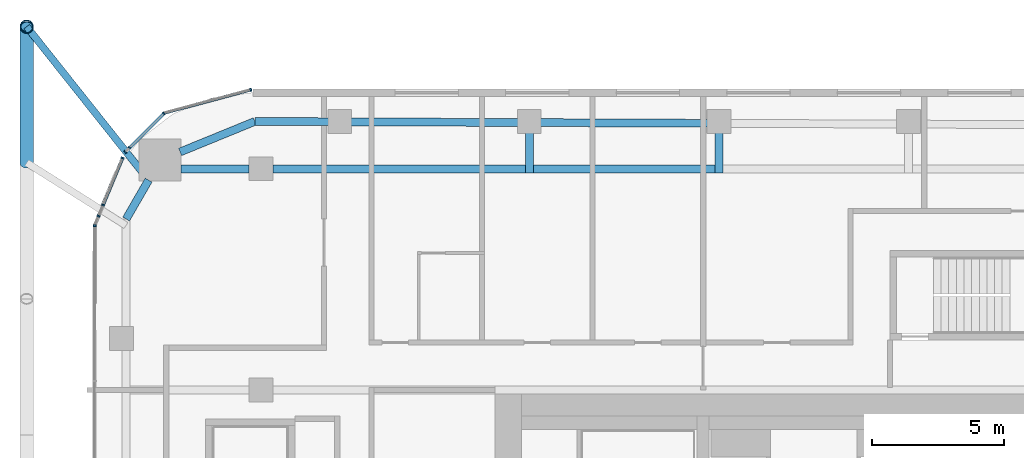
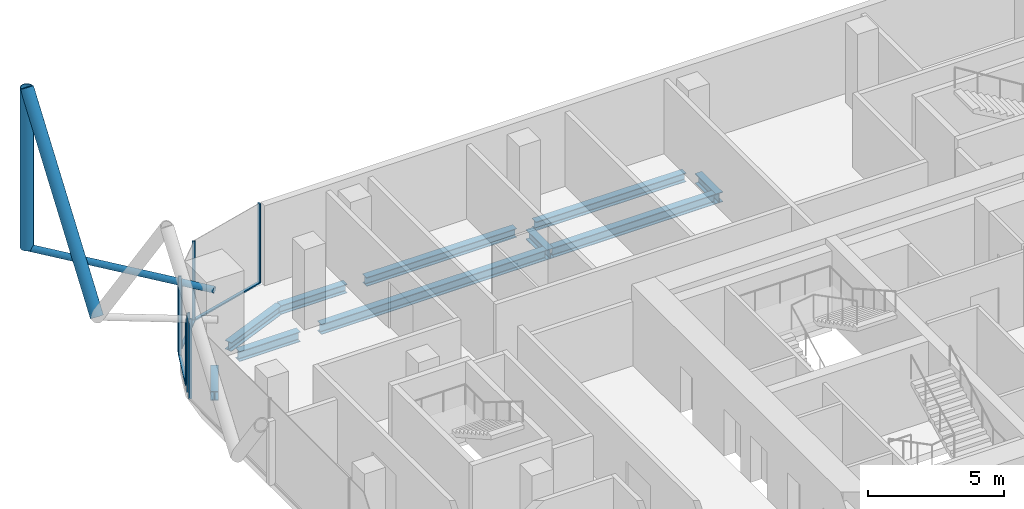
# One storey, part 11 of 36: 14 members, 10 beams, 7 elements without a shape of their own.
"""IFC4 building model written with IfcOpenShell, lengths in metres."""

from ifc_helpers import new_model, si_unit, direction, frame, origin, origin_2d, place, context, subcontext, project, spatial, rectangle, hollow_circle, i_section, extrude, material, layer, layer_set, material_profile, profile_set, type_object, element, aggregate, save


model = new_model("IFC4")

# Units and contexts
model_context = context("Model", 3, precision=1e-05, world=origin(), true_north=direction((0.0, 1.0)))
body_context = subcontext(model_context, "Body", "Model", "MODEL_VIEW")
ifc_project = project(units=[si_unit("LENGTHUNIT", "METRE"), si_unit("AREAUNIT", "SQUARE_METRE"), si_unit("VOLUMEUNIT", "CUBIC_METRE"), si_unit("PLANEANGLEUNIT", "RADIAN"), si_unit("MASSUNIT", "GRAM", prefix="KILO")], contexts=[model_context])

# Site, building, storey
site_placement = place(None, origin())
site = spatial("IfcSite", under=ifc_project, at=site_placement, CompositionType="ELEMENT")
building_placement = place(site_placement, origin())
building = spatial("IfcBuilding", under=site, at=building_placement, Name="Marenta Gate Hotel Tower", CompositionType="ELEMENT")
storey_placement = place(building_placement, frame((0.0, 0.0, 158.89990234375)))
storey = spatial("IfcBuildingStorey", under=building, at=storey_placement, Name="L37", CompositionType="ELEMENT", Elevation=158.89990234375)

# Members
ifc_material_1 = material(Name="Steel S355J2W", Category="steel")
ifc_material_profile_1 = material_profile(ifc_material_1, hollow_circle(Radius=0.25390625, WallThickness=0.02490234375, at=origin_2d()), Name="CHS 508x25")
ifc_profile_set_1 = profile_set([ifc_material_profile_1], Name="Steel S355J2W")
member_type_1 = type_object("IfcMemberType", Name="Diagrid corner post Z2 CHS 508x25", PredefinedType="POST", material=ifc_profile_set_1)
member_1_placement = place(storey_placement, frame((-29.89990234375, 30.60009765625, 3.14013671875), z_axis=(0.0, 0.0, 1.0), x_axis=(1.0, 0.0, 0.0)))
element("IfcMember", 1, at=member_1_placement, inside=storey, type_object=member_type_1, Name="L37-DR-6", PredefinedType="POST", context=body_context, shape_type="SweptSolid", body=[
    extrude(hollow_circle(Radius=0.25390625, WallThickness=0.02490234375, at=origin_2d()), origin(), (0.0, 0.0, 1.0), 7.199951171875),
])
ifc_material_2 = material(Name="Steel S355J2W", Category="steel")
ifc_material_profile_2 = material_profile(ifc_material_2, hollow_circle(Radius=0.25390625, WallThickness=0.0400390625, at=origin_2d()), Name="CHS 508x40")
ifc_profile_set_2 = profile_set([ifc_material_profile_2], Name="Steel S355J2W")
member_type_2 = type_object("IfcMemberType", Name="Diagrid diagonal Z2 CHS 508x40", PredefinedType="BRACE", material=ifc_profile_set_2)
member_2_placement = place(storey_placement, frame((-29.89990234375, 25.429931640625, 3.14013671875), z_axis=(0.0, 0.583279014058, 0.812271870595), x_axis=(-1.0, 0.0, 0.0)))
element("IfcMember", 2, at=member_2_placement, inside=storey, type_object=member_type_2, Name="L37-DG-34", PredefinedType="BRACE", context=body_context, shape_type="SweptSolid", body=[
    extrude(hollow_circle(Radius=0.25390625, WallThickness=0.0400390625, at=origin_2d()), origin(), (0.0, 0.0, 1.0), 8.864013671875),
])

# Beams
ifc_material_3 = material(Name="Steel S355", Category="steel")
ifc_material_profile_3 = material_profile(ifc_material_3, i_section(OverallWidth=0.300048828125, OverallDepth=0.39990234375, WebThickness=0.013427734375, FlangeThickness=0.02392578125, FilletRadius=0.027099609375, at=origin_2d()), Name="HEB 400")
ifc_profile_set_3 = profile_set([ifc_material_profile_3], Name="Steel S355")
beam_type_1 = type_object("IfcBeamType", Name="Edge beam HEB 400", PredefinedType="SPANDREL", material=ifc_profile_set_3)
beam_1_placement = place(storey_placement, frame((-26.121337890625, 23.291748046875, -0.4599609375), z_axis=(0.500015459501, 0.866016478054, 0.0), x_axis=(-0.866016478054, 0.500015459501, 0.0)))
element("IfcBeam", 3, at=beam_1_placement, inside=storey, type_object=beam_type_1, Name="L37-EB-11", PredefinedType="SPANDREL", context=body_context, shape_type="SweptSolid", body=[
    extrude(i_section(OverallWidth=0.300048828125, OverallDepth=0.39990234375, WebThickness=0.013427734375, FlangeThickness=0.02392578125, FilletRadius=0.027099609375, at=origin_2d()), origin(), (0.0, 0.0, 1.0), 1.70703125),
])
beam_2_placement = place(storey_placement, frame((-24.072509765625, 25.839111328125, -0.4599609375), z_axis=(0.925565978946, 0.378586342356, 0.0), x_axis=(-0.378586342356, 0.925565978946, 0.0)))
element("IfcBeam", 4, at=beam_2_placement, inside=storey, type_object=beam_type_1, Name="L37-EB-12", PredefinedType="SPANDREL", context=body_context, shape_type="SweptSolid", body=[
    extrude(i_section(OverallWidth=0.300048828125, OverallDepth=0.39990234375, WebThickness=0.013427734375, FlangeThickness=0.02392578125, FilletRadius=0.027099609375, at=origin_2d()), origin(), (0.0, 0.0, 1.0), 3.06640625),
])
beam_3_placement = place(storey_placement, frame((-21.234375, 27.0, -0.4599609375), z_axis=(0.999991706293, -0.004072756516, 0.0), x_axis=(0.004072756516, 0.999991706293, 0.0)))
element("IfcBeam", 5, at=beam_3_placement, inside=storey, type_object=beam_type_1, Name="L37-EB-13", PredefinedType="SPANDREL", context=body_context, shape_type="SweptSolid", body=[
    extrude(i_section(OverallWidth=0.300048828125, OverallDepth=0.39990234375, WebThickness=0.013427734375, FlangeThickness=0.02392578125, FilletRadius=0.027099609375, at=origin_2d()), origin(), (0.0, 0.0, 1.0), 2.8173828125),
])
beam_4_placement = place(storey_placement, frame((-17.596923828125, 26.985107421875, -0.4599609375), z_axis=(0.999991780748, -0.00405443424, 0.0), x_axis=(0.00405443424, 0.999991780748, 0.0)))
element("IfcBeam", 6, at=beam_4_placement, inside=storey, type_object=beam_type_1, Name="L37-EB-14", PredefinedType="SPANDREL", context=body_context, shape_type="SweptSolid", body=[
    extrude(i_section(OverallWidth=0.300048828125, OverallDepth=0.39990234375, WebThickness=0.013427734375, FlangeThickness=0.02392578125, FilletRadius=0.027099609375, at=origin_2d()), origin(), (0.0, 0.0, 1.0), 6.3828125),
])
beam_5_placement = place(storey_placement, frame((-10.39404296875, 26.955810546875, -0.4599609375), z_axis=(0.999991624297, -0.004092839529, 0.0), x_axis=(0.004092839529, 0.999991624297, 0.0)))
element("IfcBeam", 7, at=beam_5_placement, inside=storey, type_object=beam_type_1, Name="L37-EB-15", PredefinedType="SPANDREL", context=body_context, shape_type="SweptSolid", body=[
    extrude(i_section(OverallWidth=0.300048828125, OverallDepth=0.39990234375, WebThickness=0.013427734375, FlangeThickness=0.02392578125, FilletRadius=0.027099609375, at=origin_2d()), origin(), (0.0, 0.0, 1.0), 6.382568359375),
])

# Member
ifc_material_4 = material(Name="Steel S355J2W", Category="steel")
ifc_material_profile_4 = material_profile(ifc_material_4, hollow_circle(Radius=0.136474609375, WallThickness=0.012451171875, at=origin_2d()), Name="CHS 273x12.5")
ifc_profile_set_4 = profile_set([ifc_material_profile_4], Name="Steel S355J2W")
member_type_3 = type_object("IfcMemberType", Name="Floor tie CHS 273x12.5", PredefinedType="STRUT", material=ifc_profile_set_4)
member_3_placement = place(storey_placement, frame((-29.89990234375, 30.60009765625, 3.14013671875), z_axis=(0.622094046149, -0.782942525187, 0.0), x_axis=(0.782942525187, 0.622094046149, 0.0)))
element("IfcMember", 8, at=member_3_placement, inside=storey, type_object=member_type_3, Name="L37-DR-22", PredefinedType="STRUT", context=body_context, shape_type="SweptSolid", body=[
    extrude(hollow_circle(Radius=0.136474609375, WallThickness=0.012451171875, at=origin_2d()), origin(), (0.0, 0.0, 1.0), 7.43896484375),
])

# Beams
ifc_material_5 = material(Name="Steel S355", Category="steel")
ifc_material_profile_5 = material_profile(ifc_material_5, i_section(OverallWidth=0.300048828125, OverallDepth=0.449951171875, WebThickness=0.013916015625, FlangeThickness=0.02587890625, FilletRadius=0.027099609375, at=origin_2d()), Name="HEB 450")
ifc_profile_set_5 = profile_set([ifc_material_profile_5], Name="Steel S355")
beam_type_2 = type_object("IfcBeamType", Name="Girder HEB 450", PredefinedType="BEAM", material=ifc_profile_set_5)
beam_6_placement = place(storey_placement, frame((-24.035400390625, 25.199951171875, -0.48486328125), z_axis=(1.0, 0.0, 0.0), x_axis=(0.0, 1.0, 0.0)))
element("IfcBeam", 9, at=beam_6_placement, inside=storey, type_object=beam_type_2, Name="L37-GD-29", PredefinedType="BEAM", context=body_context, shape_type="SweptSolid", body=[
    extrude(i_section(OverallWidth=0.300048828125, OverallDepth=0.449951171875, WebThickness=0.013916015625, FlangeThickness=0.02587890625, FilletRadius=0.027099609375, at=origin_2d()), origin(), (0.0, 0.0, 1.0), 2.58544921875),
])
beam_7_placement = place(storey_placement, frame((-20.550048828125, 25.199951171875, -0.48486328125), z_axis=(1.0, 0.0, 0.0), x_axis=(0.0, 1.0, 0.0)))
element("IfcBeam", 10, at=beam_7_placement, inside=storey, type_object=beam_type_2, Name="L37-GD-30", PredefinedType="BEAM", context=body_context, shape_type="SweptSolid", body=[
    extrude(i_section(OverallWidth=0.300048828125, OverallDepth=0.449951171875, WebThickness=0.013916015625, FlangeThickness=0.02587890625, FilletRadius=0.027099609375, at=origin_2d()), origin(), (0.0, 0.0, 1.0), 9.595947265625),
])
beam_8_placement = place(storey_placement, frame((-10.654052734375, 25.199951171875, -0.48486328125), z_axis=(1.0, 0.0, 0.0), x_axis=(0.0, 1.0, 0.0)))
element("IfcBeam", 11, at=beam_8_placement, inside=storey, type_object=beam_type_2, Name="L37-GD-31", PredefinedType="BEAM", context=body_context, shape_type="SweptSolid", body=[
    extrude(i_section(OverallWidth=0.300048828125, OverallDepth=0.449951171875, WebThickness=0.013916015625, FlangeThickness=0.02587890625, FilletRadius=0.027099609375, at=origin_2d()), origin(), (0.0, 0.0, 1.0), 6.902587890625),
])
ifc_material_6 = material(Name="Steel S355", Category="steel")
ifc_material_profile_6 = material_profile(ifc_material_6, i_section(OverallWidth=0.300048828125, OverallDepth=0.449951171875, WebThickness=0.013916015625, FlangeThickness=0.02587890625, FilletRadius=0.027099609375, at=origin_2d()), Name="HEB 450")
ifc_profile_set_6 = profile_set([ifc_material_profile_6], Name="Steel S355")
beam_type_3 = type_object("IfcBeamType", Name="Girder bracket HEB 450", PredefinedType="BEAM", material=ifc_profile_set_6)
for number, where, z_axis, x_axis, name in (
    (12, (-10.80419921875, 25.050048828125, -0.48486328125), (0.0, 1.0, 0.0), (-1.0, 0.0, 0.0), "L37-GS-1"),
    (13, (-3.601318359375, 25.050048828125, -0.48486328125), (0.0, 1.0, 0.0), (-1.0, 0.0, 0.0), "L37-GS-2"),
):
    element("IfcBeam", number, at=place(storey_placement, frame(where, z_axis=z_axis, x_axis=x_axis)), inside=storey, type_object=beam_type_3, Name=name, PredefinedType="BEAM", context=body_context, shape_type="SweptSolid", body=[
        extrude(i_section(OverallWidth=0.300048828125, OverallDepth=0.449951171875, WebThickness=0.013916015625, FlangeThickness=0.02587890625, FilletRadius=0.027099609375, at=origin_2d()), origin(), (0.0, 0.0, 1.0), 1.5400390625),
    ])

# Curtain wall, member
ifc_material_7 = material(Name="Tinted insulated glass in bronze anodised frame", Category="glass")
ifc_layer = layer(ifc_material_7, 0.1201171875)
ifc_layer_set = layer_set([ifc_layer], Name="Tinted insulated glass in bronze anodised frame")
curtain_wall_type = type_object("IfcCurtainWallType", Name="Tower unitised curtain wall CW1", PredefinedType="NOTDEFINED", material=ifc_layer_set)
curtain_wall_1_placement = place(storey_placement, origin())
curtain_wall_1 = element("IfcCurtainWall", 14, at=curtain_wall_1_placement, inside=storey, type_object=curtain_wall_type, Name="CW1 run G00", PredefinedType="NOTDEFINED")
ifc_material_8 = material(Name="Bronze anodised aluminium", Category="aluminium")
ifc_material_profile_7 = material_profile(ifc_material_8, rectangle(XDim=0.1201171875, YDim=0.06005859375, at=origin_2d()), Name="Mullion CW1 60x120 bronze anodised aluminium")
ifc_profile_set_7 = profile_set([ifc_material_profile_7], Name="Bronze anodised aluminium")
member_type_4 = type_object("IfcMemberType", Name="Mullion CW1 60x120 bronze anodised aluminium", PredefinedType="MULLION", material=ifc_profile_set_7)
member_4_placement = place(storey_placement, frame((-21.385498046875, 28.203125, 0.0), z_axis=(0.0, 0.0, 1.0), x_axis=(0.258801234873, -0.96593059835, 0.0)))
member_4 = element("IfcMember", 15, at=member_4_placement, type_object=member_type_4, Name="CW1 mullion 1", PredefinedType="MULLION", context=body_context, shape_type="SweptSolid", body=[
    extrude(rectangle(XDim=0.1201171875, YDim=0.06005859375, at=origin_2d()), origin(), (0.0, 0.0, 1.0), 3.60009765625),
])

curtain_wall_2_placement = place(storey_placement, origin())
curtain_wall_2 = element("IfcCurtainWall", 16, at=curtain_wall_2_placement, inside=storey, type_object=curtain_wall_type, Name="CW1 run G01", PredefinedType="NOTDEFINED")
member_5_placement = place(storey_placement, frame((-24.68798828125, 27.302978515625, 0.0), z_axis=(0.0, 0.0, 1.0), x_axis=(0.707106781187, -0.707106781187, 0.0)))
member_5 = element("IfcMember", 17, at=member_5_placement, type_object=member_type_4, Name="CW1 mullion 1", PredefinedType="MULLION", context=body_context, shape_type="SweptSolid", body=[
    extrude(rectangle(XDim=0.1201171875, YDim=0.06005859375, at=origin_2d()), origin(), (0.0, 0.0, 1.0), 3.60009765625),
])

# Curtain wall, members
curtain_wall_3_placement = place(storey_placement, origin())
curtain_wall_3 = element("IfcCurtainWall", 18, at=curtain_wall_3_placement, inside=storey, type_object=curtain_wall_type, Name="CW1 run G02", PredefinedType="NOTDEFINED")
member_6_placement = place(storey_placement, frame((-25.992431640625, 25.998291015625, 0.0), z_axis=(0.0, 0.0, 1.0), x_axis=(0.707106781187, -0.707106781187, 0.0)))
member_6 = element("IfcMember", 19, at=member_6_placement, type_object=member_type_4, Name="CW1 mullion 1", PredefinedType="MULLION", context=body_context, shape_type="SweptSolid", body=[
    extrude(rectangle(XDim=0.1201171875, YDim=0.06005859375, at=origin_2d()), origin(), (0.0, 0.0, 1.0), 3.00048828125),
])
member_7_placement = place(storey_placement, frame((-26.151123046875, 25.839599609375, 0.0), z_axis=(0.0, 0.0, 1.0), x_axis=(0.707106781187, -0.707106781187, 0.0)))
member_7 = element("IfcMember", 20, at=member_7_placement, type_object=member_type_4, Name="CW1 mullion 2", PredefinedType="MULLION", context=body_context, shape_type="SweptSolid", body=[
    extrude(rectangle(XDim=0.1201171875, YDim=0.06005859375, at=origin_2d()), origin(), (0.0, 0.0, 1.0), 3.00048828125),
])
aggregate(curtain_wall_3, [member_6, member_7])

# Curtain wall, member
curtain_wall_4_placement = place(storey_placement, origin())
curtain_wall_4 = element("IfcCurtainWall", 21, at=curtain_wall_4_placement, inside=storey, type_object=curtain_wall_type, Name="CW1 run G03", PredefinedType="NOTDEFINED")
member_8_placement = place(storey_placement, frame((-26.25830078125, 25.610595703125, 0.0), z_axis=(0.0, 0.0, 1.0), x_axis=(0.923875335632, -0.382693564371, 0.0)))
member_8 = element("IfcMember", 22, at=member_8_placement, type_object=member_type_4, Name="CW1 mullion 1", PredefinedType="MULLION", context=body_context, shape_type="SweptSolid", body=[
    extrude(rectangle(XDim=0.1201171875, YDim=0.06005859375, at=origin_2d()), origin(), (0.0, 0.0, 1.0), 3.60009765625),
])

curtain_wall_5_placement = place(storey_placement, origin())
curtain_wall_5 = element("IfcCurtainWall", 23, at=curtain_wall_5_placement, inside=storey, type_object=curtain_wall_type, Name="CW1 run G04", PredefinedType="NOTDEFINED")
member_9_placement = place(storey_placement, frame((-26.996826171875, 23.827880859375, 0.0), z_axis=(0.0, 0.0, 1.0), x_axis=(0.923815303293, -0.382838458625, 0.0)))
member_9 = element("IfcMember", 24, at=member_9_placement, type_object=member_type_4, Name="CW1 mullion 1", PredefinedType="MULLION", context=body_context, shape_type="SweptSolid", body=[
    extrude(rectangle(XDim=0.1201171875, YDim=0.06005859375, at=origin_2d()), origin(), (0.0, 0.0, 1.0), 3.00048828125),
])
aggregate(curtain_wall_5, [member_9])

curtain_wall_6_placement = place(storey_placement, origin())
curtain_wall_6 = element("IfcCurtainWall", 25, at=curtain_wall_6_placement, inside=storey, type_object=curtain_wall_type, Name="CW1 run G05", PredefinedType="NOTDEFINED")
member_10_placement = place(storey_placement, frame((-27.1728515625, 23.4033203125, 0.0), z_axis=(0.0, 0.0, 1.0), x_axis=(0.923973627119, -0.382456188848, 0.0)))
member_10 = element("IfcMember", 26, at=member_10_placement, type_object=member_type_4, Name="CW1 mullion 1", PredefinedType="MULLION", context=body_context, shape_type="SweptSolid", body=[
    extrude(rectangle(XDim=0.1201171875, YDim=0.06005859375, at=origin_2d()), origin(), (0.0, 0.0, 1.0), 3.60009765625),
])
aggregate(curtain_wall_6, [member_10])

curtain_wall_7_placement = place(storey_placement, origin())
curtain_wall_7 = element("IfcCurtainWall", 27, at=curtain_wall_7_placement, inside=storey, type_object=curtain_wall_type, Name="CW1 run G06", PredefinedType="NOTDEFINED")
member_11_placement = place(storey_placement, frame((-27.312255859375, 23.0361328125, 0.0), z_axis=(0.0, 0.0, 1.0), x_axis=(0.999998768051, -0.001569680138, 0.0)))
member_11 = element("IfcMember", 28, at=member_11_placement, type_object=member_type_4, Name="CW1 mullion 1", PredefinedType="MULLION", context=body_context, shape_type="SweptSolid", body=[
    extrude(rectangle(XDim=0.1201171875, YDim=0.06005859375, at=origin_2d()), origin(), (0.0, 0.0, 1.0), 3.60009765625),
])
aggregate(curtain_wall_7, [member_11])

# Member
ifc_material_9 = material(Name="Bronze anodised aluminium", Category="aluminium")
ifc_material_profile_8 = material_profile(ifc_material_9, rectangle(XDim=0.1201171875, YDim=0.06005859375, at=origin_2d()), Name="Transom CW1 60x120 bronze anodised aluminium")
ifc_profile_set_8 = profile_set([ifc_material_profile_8], Name="Bronze anodised aluminium")
member_type_5 = type_object("IfcMemberType", Name="Transom CW1 60x120 bronze anodised aluminium", PredefinedType="USERDEFINED", material=ifc_profile_set_8)
member_12_placement = place(storey_placement, frame((-21.41455078125, 28.195556640625, 0.030029296875), z_axis=(-0.965932192411, -0.258795285243, 0.0), x_axis=(0.258795285243, -0.965932192411, 0.0)))
member_12 = element("IfcMember", 29, at=member_12_placement, type_object=member_type_5, Name="CW1 transom 1.1", ObjectType="TRANSOM", PredefinedType="USERDEFINED", context=body_context, shape_type="SweptSolid", body=[
    extrude(rectangle(XDim=0.1201171875, YDim=0.06005859375, at=origin_2d()), origin(), (0.0, 0.0, 1.0), 3.366943359375),
])

aggregate(curtain_wall_1, [member_4, member_12])

member_13_placement = place(storey_placement, frame((-24.709228515625, 27.28173828125, 0.030029296875), z_axis=(-0.707038385696, -0.707175170062, 0.0), x_axis=(0.707175170062, -0.707038385696, 0.0)))
member_13 = element("IfcMember", 30, at=member_13_placement, type_object=member_type_5, Name="CW1 transom 1.1", ObjectType="TRANSOM", PredefinedType="USERDEFINED", context=body_context, shape_type="SweptSolid", body=[
    extrude(rectangle(XDim=0.1201171875, YDim=0.06005859375, at=origin_2d()), origin(), (0.0, 0.0, 1.0), 1.784912109375),
])

aggregate(curtain_wall_2, [member_5, member_13])

member_14_placement = place(storey_placement, frame((-26.269775390625, 25.582763671875, 0.030029296875), z_axis=(-0.38277854418, -0.923840130171, 0.0), x_axis=(0.923840130171, -0.38277854418, 0.0)))
member_14 = element("IfcMember", 31, at=member_14_placement, type_object=member_type_5, Name="CW1 transom 1.1", ObjectType="TRANSOM", PredefinedType="USERDEFINED", context=body_context, shape_type="SweptSolid", body=[
    extrude(rectangle(XDim=0.1201171875, YDim=0.06005859375, at=origin_2d()), origin(), (0.0, 0.0, 1.0), 1.869384765625),
])

aggregate(curtain_wall_4, [member_8, member_14])

save(model, "model.ifc")
